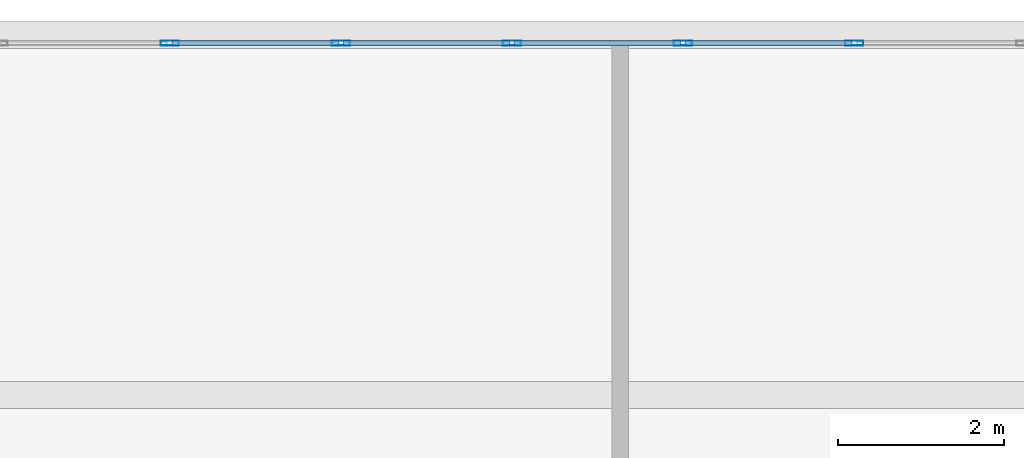
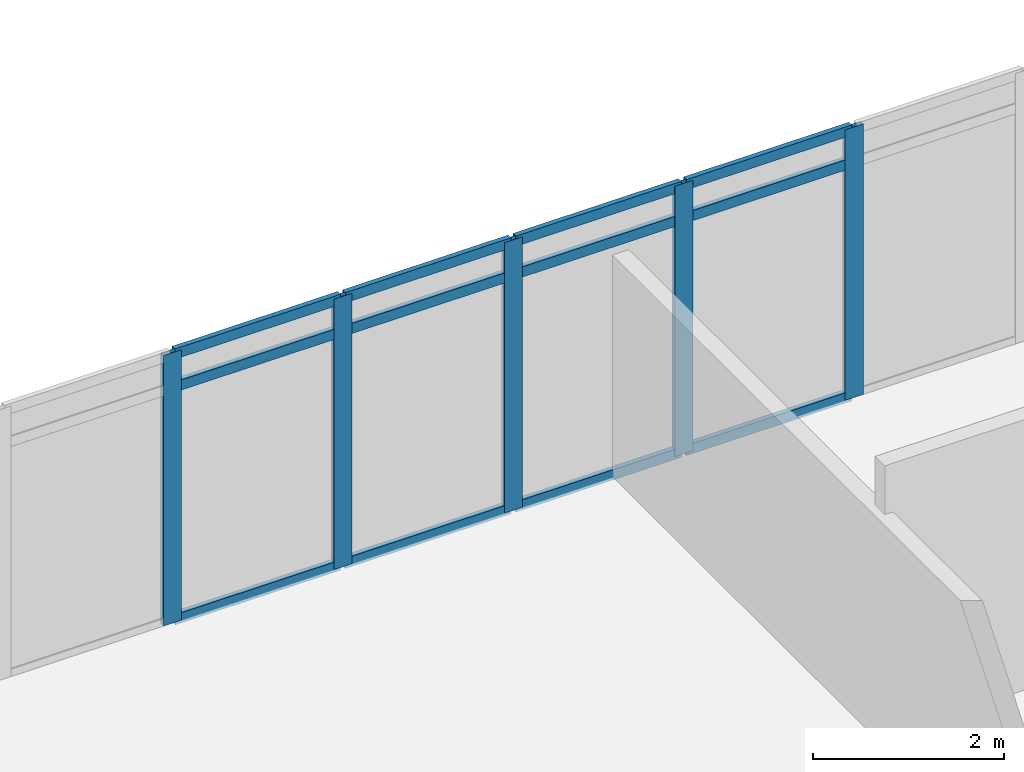
# One storey, part 22 of 37: 17 members, 1 element without a shape of its own.
"""IFC4 building model written with IfcOpenShell, lengths in metres."""

import ifcopenshell
import ifcopenshell.guid

model = None  # the IFC model being written
_history = None  # IfcOwnerHistory: only IFC2X3 demands one
_inside = {}  # id of a spatial element -> (the spatial element, [elements in it])
_under = {}  # id of a project, library or spatial element -> (it, [spatial elements below it])
_declared = {}  # id of a project -> (the project, [libraries it declares])
_typed = {}  # id of a type object -> (the type object, [elements of that type])
_made_of = {}  # id of a material, layer set ... -> (it, [elements and type objects made of it])


def new_model(schema):
    """Start an empty IFC model of exactly this schema.

    Asked for "IFC4X3", IfcOpenShell would pick the latest addendum, in which some entities
    have other attributes; the version numbers below select the first issue.
    IFC2X3 requires an IfcOwnerHistory on every rooted entity: one is made here for all.
    """
    global model, _history
    if schema == "IFC4X3":
        model = ifcopenshell.file(schema_version=(4, 3, 0, 0))
    else:
        model = ifcopenshell.file(schema=schema)
    _inside.clear()
    _under.clear()
    _declared.clear()
    _typed.clear()
    _made_of.clear()
    _history = None
    if model.schema == "IFC2X3":
        org = make("IfcOrganization", Name="unknown")
        user = make(
            "IfcPersonAndOrganization",
            ThePerson=make("IfcPerson", FamilyName="unknown"),
            TheOrganization=org,
        )
        app = make(
            "IfcApplication",
            ApplicationDeveloper=org,
            Version="unknown",
            ApplicationFullName="unknown",
            ApplicationIdentifier="unknown",
        )
        _history = make(
            "IfcOwnerHistory",
            OwningUser=user,
            OwningApplication=app,
            ChangeAction="ADDED",
            CreationDate=0,
        )
    return model


def make(cls, **values):
    """One entity of the class cls with the attributes given. An attribute that is None is left unset."""
    return model.create_entity(
        cls, **{name: value for name, value in values.items() if value is not None}
    )


def rooted(cls, **values):
    """An entity with a GlobalId (a new one), such as an element, a storey or a relation."""
    return make(cls, GlobalId=ifcopenshell.guid.new(), OwnerHistory=_history, **values)


def si_unit(unit_type, name, prefix=None):
    """IfcSIUnit, for example si_unit("LENGTHUNIT", "METRE", prefix="MILLI")."""
    return make("IfcSIUnit", UnitType=unit_type, Prefix=prefix, Name=name)


def assignment(units):
    """IfcUnitAssignment: the units of a project."""
    return None if units is None else make("IfcUnitAssignment", Units=units)


def point(xyz):
    """IfcCartesianPoint."""
    return None if xyz is None else make("IfcCartesianPoint", Coordinates=xyz)


def direction(xyz):
    """IfcDirection."""
    return None if xyz is None else make("IfcDirection", DirectionRatios=xyz)


def frame(location, z_axis=None, x_axis=None):
    """IfcAxis2Placement3D, a coordinate frame: its origin and axes. An axis left out is left unset."""
    return make(
        "IfcAxis2Placement3D",
        Location=point(location),
        Axis=direction(z_axis),
        RefDirection=direction(x_axis),
    )


def frame_2d(location, x_axis=None):
    """IfcAxis2Placement2D, a coordinate frame in the plane: its origin and x axis."""
    return make(
        "IfcAxis2Placement2D", Location=point(location), RefDirection=direction(x_axis)
    )


def origin():
    """The frame at (0, 0, 0) with its axes left unset."""
    return frame((0.0, 0.0, 0.0))


def origin_2d():
    """The frame at (0, 0) in the plane with its x axis left unset."""
    return frame_2d((0.0, 0.0))


def place(relative_to, where):
    """IfcLocalPlacement: puts the frame where relative to a parent placement (None: the world)."""
    return make(
        "IfcLocalPlacement", PlacementRelTo=relative_to, RelativePlacement=where
    )


def context(
    kind, dimensions, precision=None, world=None, true_north=None, identifier=None
):
    """IfcGeometricRepresentationContext, for example the 3D "Model" context."""
    return make(
        "IfcGeometricRepresentationContext",
        ContextIdentifier=identifier,
        ContextType=kind,
        CoordinateSpaceDimension=dimensions,
        Precision=precision,
        WorldCoordinateSystem=world,
        TrueNorth=true_north,
    )


def subcontext(parent, identifier, kind, view, scale=None):
    """IfcGeometricRepresentationSubContext, for example "Body" below "Model"."""
    return make(
        "IfcGeometricRepresentationSubContext",
        ContextIdentifier=identifier,
        ContextType=kind,
        ParentContext=parent,
        TargetScale=scale,
        TargetView=view,
    )


def project(units=None, contexts=None):
    """IfcProject with its units and contexts."""
    return rooted(
        "IfcProject",
        Name="project",
        RepresentationContexts=contexts,
        UnitsInContext=assignment(units),
    )


def spatial(cls, under=None, at=None, **own):
    """A site, building, storey or space (cls), placed at a placement, below another one or the project."""
    s = rooted(cls, ObjectPlacement=at, **own)
    if under is not None:
        _under.setdefault(under.id(), (under, []))[1].append(s)
    return s


def profile(cls, at=None, kind="AREA", **sizes):
    """A parametric profile (cls). Its sizes go by their IFC names, for example OverallWidth=200.0."""
    return make(cls, ProfileType=kind, Position=at, **sizes)


def hollow_rectangle(**sizes):
    """IfcRectangleHollowProfileDef."""
    return profile("IfcRectangleHollowProfileDef", **sizes)


def extrude(swept, where, along, depth):
    """IfcExtrudedAreaSolid: the profile swept, set in the frame where, extruded along a direction by depth."""
    return make(
        "IfcExtrudedAreaSolid",
        SweptArea=swept,
        Position=where,
        ExtrudedDirection=direction(along),
        Depth=depth,
    )


def shape(context_of_items, identifier, shape_type, items):
    """IfcShapeRepresentation: the items that make up one representation, for example the "Body"."""
    return make(
        "IfcShapeRepresentation",
        ContextOfItems=context_of_items,
        RepresentationIdentifier=identifier,
        RepresentationType=shape_type,
        Items=items,
    )


def material(Name=None, Category=None):
    """IfcMaterial."""
    return make("IfcMaterial", Name=Name, Category=Category)


def material_profile(
    of_material, cross_section, Name=None, Category=None, Priority=None
):
    """IfcMaterialProfile: a cross section and its material."""
    return make(
        "IfcMaterialProfile",
        Name=Name,
        Material=of_material,
        Profile=cross_section,
        Priority=Priority,
        Category=Category,
    )


def profile_set(profiles, Name=None, composite=None):
    """IfcMaterialProfileSet."""
    return make(
        "IfcMaterialProfileSet",
        Name=Name,
        MaterialProfiles=profiles,
        CompositeProfile=composite,
    )


def made_of(thing, what):
    """Note that an element or type object is made of a material, layer set ...; save() writes the relation."""
    if what is not None:
        _made_of.setdefault(what.id(), (what, []))[1].append(thing)
    return thing


def type_object(cls, material=None, **own):
    """A type object (cls), such as IfcWallType, which elements share."""
    return made_of(rooted(cls, **own), material)


def element(
    cls,
    number,
    at=None,
    inside=None,
    cuts=None,
    type_object=None,
    material=None,
    context=None,
    identifier="Body",
    shape_type=None,
    held_by="IfcProductDefinitionShape",
    body=None,
    shapes=None,
    **own,
):
    """One element of the class cls, such as IfcWall. Its Tag is "e" and its number.

    at: its placement. inside: the storey or other place that contains it. cuts: it is an
    opening in that element (IfcRelVoidsElement). A single representation is given by context,
    identifier, shape_type and body (its items); several are given by shapes. held_by: the class
    of the entity that holds the representations. save() writes the other relations.
    """
    e = rooted(cls, Tag="e%d" % number, ObjectPlacement=at, **own)
    if body is not None:
        shapes = [shape(context, identifier, shape_type, body)]
    if shapes is not None:
        e.Representation = make(held_by, Representations=shapes)
    if inside is not None:
        _inside.setdefault(inside.id(), (inside, []))[1].append(e)
    if cuts is not None:
        rooted(
            "IfcRelVoidsElement", RelatingBuildingElement=cuts, RelatedOpeningElement=e
        )
    if type_object is not None:
        _typed.setdefault(type_object.id(), (type_object, []))[1].append(e)
    return made_of(e, material)


def aggregate(whole, parts):
    """IfcRelAggregates: a whole, such as a stair, and the parts it consists of."""
    return rooted("IfcRelAggregates", RelatingObject=whole, RelatedObjects=parts)


def save(model, path):
    """Write the relations noted so far, then the file.

    IfcRelAggregates (storeys below a building ...), IfcRelContainedInSpatialStructure (elements
    in a storey), IfcRelDefinesByType, IfcRelAssociatesMaterial and IfcRelDeclares: one each for
    every whole, place, type object, material and project.
    """
    for whole, parts in _under.values():
        aggregate(whole, parts)
    for where, things in _inside.values():
        rooted(
            "IfcRelContainedInSpatialStructure",
            RelatedElements=things,
            RelatingStructure=where,
        )
    for kind, things in _typed.values():
        rooted("IfcRelDefinesByType", RelatedObjects=things, RelatingType=kind)
    for what, things in _made_of.values():
        rooted("IfcRelAssociatesMaterial", RelatedObjects=things, RelatingMaterial=what)
    for by, libraries in _declared.values():
        rooted("IfcRelDeclares", RelatingContext=by, RelatedDefinitions=libraries)
    model.write(path)


model = new_model("IFC4")

# Units and contexts
model_context = context("Model", 3, precision=1e-05, world=origin(), true_north=direction((0.0, 1.0)))
body_context = subcontext(model_context, "Body", "Model", "MODEL_VIEW")
ifc_project = project(units=[si_unit("LENGTHUNIT", "METRE"), si_unit("AREAUNIT", "SQUARE_METRE"), si_unit("VOLUMEUNIT", "CUBIC_METRE"), si_unit("PLANEANGLEUNIT", "RADIAN"), si_unit("MASSUNIT", "GRAM", prefix="KILO")], contexts=[model_context])

# Site, building, storey
site_placement = place(None, origin())
site = spatial("IfcSite", under=ifc_project, at=site_placement, CompositionType="ELEMENT")
building_placement = place(site_placement, origin())
building = spatial("IfcBuilding", under=site, at=building_placement, Name="Ostrander Bayou Hotel Tower", CompositionType="ELEMENT")
storey_placement = place(building_placement, frame((0.0, 0.0, 131.0)))
storey = spatial("IfcBuildingStorey", under=building, at=storey_placement, Name="L32", CompositionType="ELEMENT", Elevation=131.0)

# Curtain wall, members
ifc_material_1 = material(Name="Aluminium and clear glass", Category="aluminium")
curtain_wall_type = type_object("IfcCurtainWallType", Name="CW-BAR glazed wall", PredefinedType="NOTDEFINED", material=ifc_material_1)
curtain_wall_placement = place(storey_placement, origin())
curtain_wall = element("IfcCurtainWall", 1, at=curtain_wall_placement, inside=storey, type_object=curtain_wall_type, Name="CW-BAR L32:SB3N:T", PredefinedType="NOTDEFINED")
ifc_material_2 = material(Name="Aluminium", Category="aluminium")
ifc_material_profile_1 = material_profile(ifc_material_2, hollow_rectangle(XDim=0.06005859375, YDim=0.219970703125, WallThickness=0.00390625, at=origin_2d()))
ifc_profile_set_1 = profile_set([ifc_material_profile_1], Name="Aluminium")
member_type_1 = type_object("IfcMemberType", Name="CW-BR mullion 60 x 220 mm", PredefinedType="MULLION", material=ifc_profile_set_1)
member_1_placement = place(storey_placement, frame((1.0283203125, 29.037109375, 0.0), z_axis=(0.0, 0.0, 1.0), x_axis=(0.0, 1.0, 0.0)))
member_1 = element("IfcMember", 2, at=member_1_placement, type_object=member_type_1, Name="CW-BAR mullion 8", PredefinedType="MULLION", context=body_context, shape_type="SweptSolid", body=[
    extrude(hollow_rectangle(XDim=0.06005859375, YDim=0.219970703125, WallThickness=0.00390625, at=origin_2d()), origin(), (0.0, 0.0, 1.0), 3.449951171875),
])
member_2_placement = place(storey_placement, frame((3.084716796875, 29.037109375, 0.0), z_axis=(0.0, 0.0, 1.0), x_axis=(0.0, 1.0, 0.0)))
member_2 = element("IfcMember", 3, at=member_2_placement, type_object=member_type_1, Name="CW-BAR mullion 9", PredefinedType="MULLION", context=body_context, shape_type="SweptSolid", body=[
    extrude(hollow_rectangle(XDim=0.06005859375, YDim=0.219970703125, WallThickness=0.00390625, at=origin_2d()), origin(), (0.0, 0.0, 1.0), 3.449951171875),
])
member_3_placement = place(storey_placement, frame((5.14111328125, 29.037109375, 0.0), z_axis=(0.0, 0.0, 1.0), x_axis=(0.0, 1.0, 0.0)))
member_3 = element("IfcMember", 4, at=member_3_placement, type_object=member_type_1, Name="CW-BAR mullion 10", PredefinedType="MULLION", context=body_context, shape_type="SweptSolid", body=[
    extrude(hollow_rectangle(XDim=0.06005859375, YDim=0.219970703125, WallThickness=0.00390625, at=origin_2d()), origin(), (0.0, 0.0, 1.0), 3.449951171875),
])
member_4_placement = place(storey_placement, frame((7.19775390625, 29.037109375, 0.0), z_axis=(0.0, 0.0, 1.0), x_axis=(0.0, 1.0, 0.0)))
member_4 = element("IfcMember", 5, at=member_4_placement, type_object=member_type_1, Name="CW-BAR mullion 11", PredefinedType="MULLION", context=body_context, shape_type="SweptSolid", body=[
    extrude(hollow_rectangle(XDim=0.06005859375, YDim=0.219970703125, WallThickness=0.00390625, at=origin_2d()), origin(), (0.0, 0.0, 1.0), 3.449951171875),
])
member_5_placement = place(storey_placement, frame((9.254150390625, 29.037109375, 0.0), z_axis=(0.0, 0.0, 1.0), x_axis=(0.0, 1.0, 0.0)))
member_5 = element("IfcMember", 6, at=member_5_placement, type_object=member_type_1, Name="CW-BAR mullion 12", PredefinedType="MULLION", context=body_context, shape_type="SweptSolid", body=[
    extrude(hollow_rectangle(XDim=0.06005859375, YDim=0.219970703125, WallThickness=0.00390625, at=origin_2d()), origin(), (0.0, 0.0, 1.0), 3.449951171875),
])
ifc_material_3 = material(Name="Aluminium", Category="aluminium")
ifc_material_profile_2 = material_profile(ifc_material_3, hollow_rectangle(XDim=0.06005859375, YDim=0.1298828125, WallThickness=0.00390625, at=origin_2d()))
ifc_profile_set_2 = profile_set([ifc_material_profile_2], Name="Aluminium")
member_type_2 = type_object("IfcMemberType", Name="CW-BR transom 60 x 130 mm", PredefinedType="USERDEFINED", material=ifc_profile_set_2)
member_6_placement = place(storey_placement, frame((1.058349609375, 29.037109375, 0.030029296875), z_axis=(1.0, 0.0, 0.0), x_axis=(0.0, 1.0, 0.0)))
member_6 = element("IfcMember", 7, at=member_6_placement, type_object=member_type_2, Name="CW-BAR transom 8.1", ObjectType="TRANSOM", PredefinedType="USERDEFINED", context=body_context, shape_type="SweptSolid", body=[
    extrude(hollow_rectangle(XDim=0.06005859375, YDim=0.1298828125, WallThickness=0.00390625, at=origin_2d()), origin(), (0.0, 0.0, 1.0), 1.996337890625),
])
member_7_placement = place(storey_placement, frame((1.058349609375, 29.037109375, 3.0), z_axis=(1.0, 0.0, 0.0), x_axis=(0.0, 1.0, 0.0)))
member_7 = element("IfcMember", 8, at=member_7_placement, type_object=member_type_2, Name="CW-BAR transom 8.2", ObjectType="TRANSOM", PredefinedType="USERDEFINED", context=body_context, shape_type="SweptSolid", body=[
    extrude(hollow_rectangle(XDim=0.06005859375, YDim=0.1298828125, WallThickness=0.00390625, at=origin_2d()), origin(), (0.0, 0.0, 1.0), 1.996337890625),
])
member_8_placement = place(storey_placement, frame((1.058349609375, 29.037109375, 3.419921875), z_axis=(1.0, 0.0, 0.0), x_axis=(0.0, 1.0, 0.0)))
member_8 = element("IfcMember", 9, at=member_8_placement, type_object=member_type_2, Name="CW-BAR transom 8.3", ObjectType="TRANSOM", PredefinedType="USERDEFINED", context=body_context, shape_type="SweptSolid", body=[
    extrude(hollow_rectangle(XDim=0.06005859375, YDim=0.1298828125, WallThickness=0.00390625, at=origin_2d()), origin(), (0.0, 0.0, 1.0), 1.996337890625),
])
member_9_placement = place(storey_placement, frame((3.11474609375, 29.037109375, 0.030029296875), z_axis=(1.0, 0.0, 0.0), x_axis=(0.0, 1.0, 0.0)))
member_9 = element("IfcMember", 10, at=member_9_placement, type_object=member_type_2, Name="CW-BAR transom 9.1", ObjectType="TRANSOM", PredefinedType="USERDEFINED", context=body_context, shape_type="SweptSolid", body=[
    extrude(hollow_rectangle(XDim=0.06005859375, YDim=0.1298828125, WallThickness=0.00390625, at=origin_2d()), origin(), (0.0, 0.0, 1.0), 1.99658203125),
])
member_10_placement = place(storey_placement, frame((3.11474609375, 29.037109375, 3.0), z_axis=(1.0, 0.0, 0.0), x_axis=(0.0, 1.0, 0.0)))
member_10 = element("IfcMember", 11, at=member_10_placement, type_object=member_type_2, Name="CW-BAR transom 9.2", ObjectType="TRANSOM", PredefinedType="USERDEFINED", context=body_context, shape_type="SweptSolid", body=[
    extrude(hollow_rectangle(XDim=0.06005859375, YDim=0.1298828125, WallThickness=0.00390625, at=origin_2d()), origin(), (0.0, 0.0, 1.0), 1.99658203125),
])
member_11_placement = place(storey_placement, frame((3.11474609375, 29.037109375, 3.419921875), z_axis=(1.0, 0.0, 0.0), x_axis=(0.0, 1.0, 0.0)))
member_11 = element("IfcMember", 12, at=member_11_placement, type_object=member_type_2, Name="CW-BAR transom 9.3", ObjectType="TRANSOM", PredefinedType="USERDEFINED", context=body_context, shape_type="SweptSolid", body=[
    extrude(hollow_rectangle(XDim=0.06005859375, YDim=0.1298828125, WallThickness=0.00390625, at=origin_2d()), origin(), (0.0, 0.0, 1.0), 1.99658203125),
])
member_12_placement = place(storey_placement, frame((5.171142578125, 29.037109375, 0.030029296875), z_axis=(1.0, 0.0, 0.0), x_axis=(0.0, 1.0, 0.0)))
member_12 = element("IfcMember", 13, at=member_12_placement, type_object=member_type_2, Name="CW-BAR transom 10.1", ObjectType="TRANSOM", PredefinedType="USERDEFINED", context=body_context, shape_type="SweptSolid", body=[
    extrude(hollow_rectangle(XDim=0.06005859375, YDim=0.1298828125, WallThickness=0.00390625, at=origin_2d()), origin(), (0.0, 0.0, 1.0), 1.99658203125),
])
member_13_placement = place(storey_placement, frame((5.171142578125, 29.037109375, 3.0), z_axis=(1.0, 0.0, 0.0), x_axis=(0.0, 1.0, 0.0)))
member_13 = element("IfcMember", 14, at=member_13_placement, type_object=member_type_2, Name="CW-BAR transom 10.2", ObjectType="TRANSOM", PredefinedType="USERDEFINED", context=body_context, shape_type="SweptSolid", body=[
    extrude(hollow_rectangle(XDim=0.06005859375, YDim=0.1298828125, WallThickness=0.00390625, at=origin_2d()), origin(), (0.0, 0.0, 1.0), 1.99658203125),
])
member_14_placement = place(storey_placement, frame((5.171142578125, 29.037109375, 3.419921875), z_axis=(1.0, 0.0, 0.0), x_axis=(0.0, 1.0, 0.0)))
member_14 = element("IfcMember", 15, at=member_14_placement, type_object=member_type_2, Name="CW-BAR transom 10.3", ObjectType="TRANSOM", PredefinedType="USERDEFINED", context=body_context, shape_type="SweptSolid", body=[
    extrude(hollow_rectangle(XDim=0.06005859375, YDim=0.1298828125, WallThickness=0.00390625, at=origin_2d()), origin(), (0.0, 0.0, 1.0), 1.99658203125),
])
member_15_placement = place(storey_placement, frame((7.227783203125, 29.037109375, 0.030029296875), z_axis=(1.0, 0.0, 0.0), x_axis=(0.0, 1.0, 0.0)))
member_15 = element("IfcMember", 16, at=member_15_placement, type_object=member_type_2, Name="CW-BAR transom 11.1", ObjectType="TRANSOM", PredefinedType="USERDEFINED", context=body_context, shape_type="SweptSolid", body=[
    extrude(hollow_rectangle(XDim=0.06005859375, YDim=0.1298828125, WallThickness=0.00390625, at=origin_2d()), origin(), (0.0, 0.0, 1.0), 1.996337890625),
])
member_16_placement = place(storey_placement, frame((7.227783203125, 29.037109375, 3.0), z_axis=(1.0, 0.0, 0.0), x_axis=(0.0, 1.0, 0.0)))
member_16 = element("IfcMember", 17, at=member_16_placement, type_object=member_type_2, Name="CW-BAR transom 11.2", ObjectType="TRANSOM", PredefinedType="USERDEFINED", context=body_context, shape_type="SweptSolid", body=[
    extrude(hollow_rectangle(XDim=0.06005859375, YDim=0.1298828125, WallThickness=0.00390625, at=origin_2d()), origin(), (0.0, 0.0, 1.0), 1.996337890625),
])
member_17_placement = place(storey_placement, frame((7.227783203125, 29.037109375, 3.419921875), z_axis=(1.0, 0.0, 0.0), x_axis=(0.0, 1.0, 0.0)))
member_17 = element("IfcMember", 18, at=member_17_placement, type_object=member_type_2, Name="CW-BAR transom 11.3", ObjectType="TRANSOM", PredefinedType="USERDEFINED", context=body_context, shape_type="SweptSolid", body=[
    extrude(hollow_rectangle(XDim=0.06005859375, YDim=0.1298828125, WallThickness=0.00390625, at=origin_2d()), origin(), (0.0, 0.0, 1.0), 1.996337890625),
])
aggregate(curtain_wall, [member_1, member_2, member_3, member_4, member_5, member_6, member_7, member_8, member_9, member_10, member_11, member_12, member_13, member_14, member_15, member_16, member_17])

save(model, "model.ifc")
